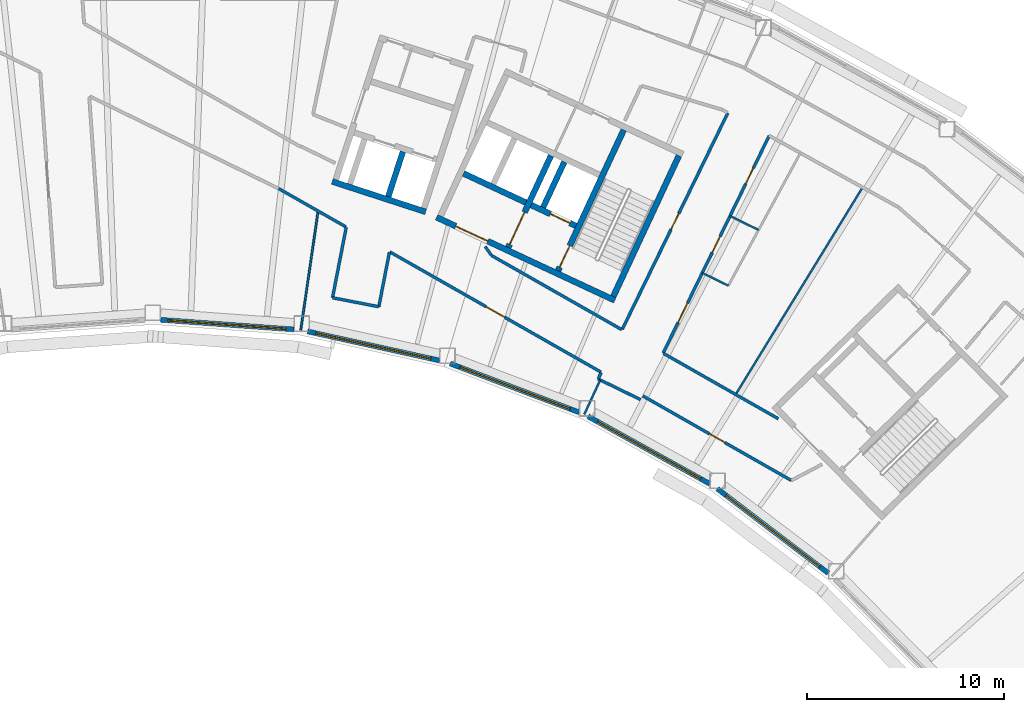
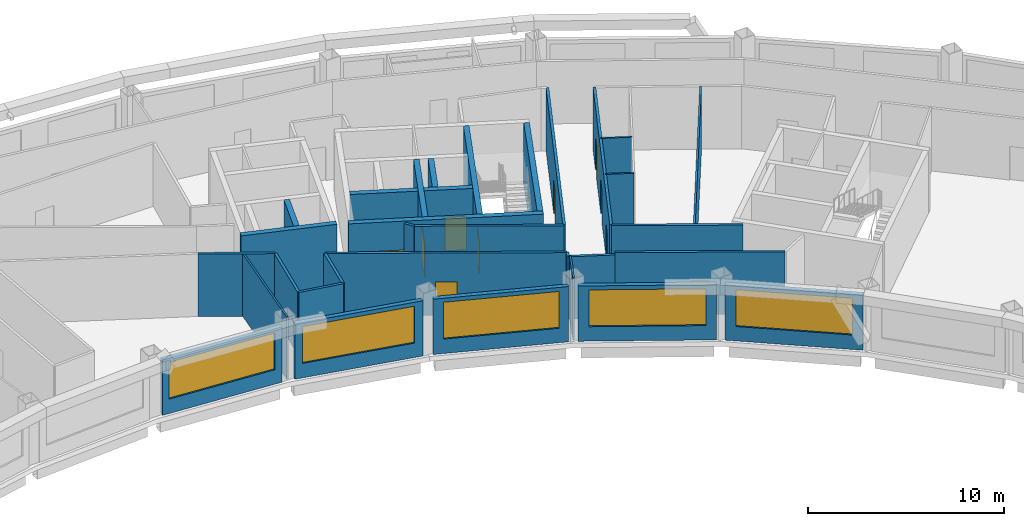
# One storey, part 8 of 16: 32 walls, 10 doors, 5 windows, 15 openings.
"""IFC4 building model written with IfcOpenShell, lengths in metres."""

from ifc_helpers import new_model, si_unit, direction, frame, frame_2d, origin, place, context, subcontext, project, spatial, rectangle, extrude, material, layer, layer_set, type_object, element, fill, save


model = new_model("IFC4")

# Units and contexts
model_context = context("Model", 3, precision=1e-05, world=origin(), true_north=direction((0.0, 1.0)))
body_context = subcontext(model_context, "Body", "Model", "MODEL_VIEW")
ifc_project = project(units=[si_unit("LENGTHUNIT", "METRE"), si_unit("AREAUNIT", "SQUARE_METRE"), si_unit("VOLUMEUNIT", "CUBIC_METRE"), si_unit("PLANEANGLEUNIT", "RADIAN"), si_unit("MASSUNIT", "GRAM", prefix="KILO")], contexts=[model_context])

# Site, building, storey
site_placement = place(None, origin())
site = spatial("IfcSite", under=ifc_project, at=site_placement, CompositionType="ELEMENT")
building_placement = place(site_placement, origin())
building = spatial("IfcBuilding", under=site, at=building_placement, Name="Tuul Gate Civic Tower", CompositionType="ELEMENT")
storey_placement = place(building_placement, frame((0.0, 0.0, 261.0)))
storey = spatial("IfcBuildingStorey", under=building, at=storey_placement, Name="Level 59", CompositionType="ELEMENT", Elevation=261.0)

# Wall, opening, door
ifc_material_1 = material(Name="Concrete C50/60", Category="concrete")
ifc_layer_1 = layer(ifc_material_1, 0.300048828125)
ifc_layer_set_1 = layer_set([ifc_layer_1], Name="Concrete C50/60")
wall_type_1 = type_object("IfcWallType", Name="Core wall C50/60", PredefinedType="SHEAR", material=ifc_layer_set_1)
wall_1_placement = place(storey_placement, frame((34.5283203125, -7.25, 0.0), z_axis=(0.0, 0.0, 1.0), x_axis=(-0.906310338845, 0.422612789327, 0.0)))
wall_1 = element("IfcWall", 1, at=wall_1_placement, inside=storey, type_object=wall_type_1, Name="Core wall", PredefinedType="SHEAR", context=body_context, shape_type="SweptSolid", body=[
    extrude(rectangle(XDim=9.999755859375, YDim=0.300048828125, at=frame_2d((5.0, 0.0))), origin(), (0.0, 0.0, 1.0), 3.89990234375),
])
opening_1_placement = place(wall_1_placement, frame((7.125, 0.0, 0.0)))
opening_1 = element("IfcOpeningElement", 2, at=opening_1_placement, cuts=wall_1, Name="Opening LB-E3-LOBBY-1", PredefinedType="OPENING", context=body_context, shape_type="SweptSolid", body=[
    extrude(rectangle(XDim=1.800048828125, YDim=2.10009765625, at=frame_2d((0.89990234375, 1.050048828125))), frame((0.0, 0.16015625, 0.0), z_axis=(0.0, -1.0, 0.0), x_axis=(1.0, 0.0, 0.0)), (0.0, 0.0, 1.0), 0.320068359375),
])
ifc_material_2 = material(Name="Steel", Category="steel")
door_type_1 = type_object("IfcDoorType", Name="Lobby door", OperationType="DOUBLE_DOOR_SINGLE_SWING", PredefinedType="DOOR", material=ifc_material_2)
door_1_placement = place(opening_1_placement, origin())
door_1 = element("IfcDoor", 3, at=door_1_placement, inside=storey, type_object=door_type_1, Name="Lobby door E3-LOBBY", OperationType="DOUBLE_DOOR_SINGLE_SWING", OverallHeight=2.10009765625, OverallWidth=1.800048828125, PredefinedType="DOOR", context=body_context, shape_type="SweptSolid", body=[
    extrude(rectangle(XDim=1.800048828125, YDim=2.10009765625, at=frame_2d((0.89990234375, 1.050048828125))), frame((0.0, 0.02490234375, 0.0), z_axis=(0.0, -1.0, 0.0), x_axis=(1.0, 0.0, 0.0)), (0.0, 0.0, 1.0), 0.050048828125),
])
fill(opening_1, door_1)

wall_2_placement = place(storey_placement, frame((32.545654296875, -3.456787109375, 0.0), z_axis=(0.0, 0.0, 1.0), x_axis=(-0.906300357825, 0.42263419337, 0.0)))
wall_2 = element("IfcWall", 4, at=wall_2_placement, inside=storey, type_object=wall_type_1, Name="Core wall", PredefinedType="SHEAR", context=body_context, shape_type="SweptSolid", body=[
    extrude(rectangle(XDim=2.500244140625, YDim=0.300048828125, at=frame_2d((1.25, 0.0))), origin(), (0.0, 0.0, 1.0), 3.89990234375),
])
opening_2_placement = place(wall_2_placement, frame((0.324951171875, 0.0, 0.0)))
opening_2 = element("IfcOpeningElement", 5, at=opening_2_placement, cuts=wall_2, Name="Opening LD-FF-2", PredefinedType="OPENING", context=body_context, shape_type="SweptSolid", body=[
    extrude(rectangle(XDim=1.10009765625, YDim=2.10009765625, at=frame_2d((0.550048828125, 1.050048828125))), frame((0.0, 0.16015625, 0.0), z_axis=(0.0, -1.0, 0.0), x_axis=(1.0, 0.0, 0.0)), (0.0, 0.0, 1.0), 0.320068359375),
])
ifc_material_3 = material(Name="Stainless steel", Category="steel")
door_type_2 = type_object("IfcDoorType", Name="Landing door", OperationType="DOUBLE_DOOR_SLIDING", PredefinedType="DOOR", material=ifc_material_3)
door_2_placement = place(opening_2_placement, origin())
door_2 = element("IfcDoor", 6, at=door_2_placement, inside=storey, type_object=door_type_2, Name="Fire-fighting lift FF-2 landing door", OperationType="DOUBLE_DOOR_SLIDING", OverallHeight=2.10009765625, OverallWidth=1.10009765625, PredefinedType="DOOR", context=body_context, shape_type="SweptSolid", body=[
    extrude(rectangle(XDim=1.10009765625, YDim=2.10009765625, at=frame_2d((0.550048828125, 1.050048828125))), frame((0.0, 0.02490234375, 0.0), z_axis=(0.0, -1.0, 0.0), x_axis=(1.0, 0.0, 0.0)), (0.0, 0.0, 1.0), 0.050048828125),
])
fill(opening_2, door_2)

# Walls
wall_3_placement = place(storey_placement, frame((30.0078125, -2.2734375, 0.0), z_axis=(0.0, 0.0, 1.0), x_axis=(-0.90630071767, 0.422633421716, 0.0)))
element("IfcWall", 7, at=wall_3_placement, inside=storey, type_object=wall_type_1, Name="Core wall", PredefinedType="SHEAR", context=body_context, shape_type="SweptSolid", body=[
    extrude(rectangle(XDim=3.5, YDim=0.300048828125, at=frame_2d((1.75, 0.0))), origin(), (0.0, 0.0, 1.0), 3.89990234375),
])
wall_4_placement = place(storey_placement, frame((34.455810546875, -7.05078125, 0.0), z_axis=(0.0, 0.0, 1.0), x_axis=(0.422570768258, 0.906329932096, 0.0)))
element("IfcWall", 8, at=wall_4_placement, inside=storey, type_object=wall_type_1, Name="Core wall", PredefinedType="SHEAR", context=body_context, shape_type="SweptSolid", body=[
    extrude(rectangle(XDim=7.900146484375, YDim=0.300048828125, at=frame_2d((3.9501953125, 0.0))), origin(), (0.0, 0.0, 1.0), 3.89990234375),
])

# Wall, opening, door
wall_5_placement = place(storey_placement, frame((31.646240234375, -5.740478515625, 0.0), z_axis=(0.0, 0.0, 1.0), x_axis=(0.422582604137, 0.906324413596, 0.0)))
wall_5 = element("IfcWall", 9, at=wall_5_placement, inside=storey, type_object=wall_type_1, Name="Core wall", PredefinedType="SHEAR", context=body_context, shape_type="SweptSolid", body=[
    extrude(rectangle(XDim=7.89990234375, YDim=0.300048828125, at=frame_2d((3.949951171875, 0.0))), origin(), (0.0, 0.0, 1.0), 3.89990234375),
])
opening_3_placement = place(wall_5_placement, frame((0.199951171875, 0.0, 0.0)))
opening_3 = element("IfcOpeningElement", 10, at=opening_3_placement, cuts=wall_5, Name="Opening SD-ST-4", PredefinedType="OPENING", context=body_context, shape_type="SweptSolid", body=[
    extrude(rectangle(XDim=1.199951171875, YDim=2.10009765625, at=frame_2d((0.60009765625, 1.050048828125))), frame((0.0, 0.16015625, 0.0), z_axis=(0.0, -1.0, 0.0), x_axis=(1.0, 0.0, 0.0)), (0.0, 0.0, 1.0), 0.320068359375),
])
ifc_material_4 = material(Name="Steel", Category="steel")
door_type_3 = type_object("IfcDoorType", Name="Stair door", OperationType="NOTDEFINED", PredefinedType="DOOR", material=ifc_material_4)
door_3_placement = place(opening_3_placement, origin())
door_3 = element("IfcDoor", 11, at=door_3_placement, inside=storey, type_object=door_type_3, Name="Stair door ST-4", OperationType="SINGLE_SWING_LEFT", OverallHeight=2.10009765625, OverallWidth=1.199951171875, PredefinedType="DOOR", context=body_context, shape_type="SweptSolid", body=[
    extrude(rectangle(XDim=1.199951171875, YDim=2.10009765625, at=frame_2d((0.60009765625, 1.050048828125))), frame((0.0, 0.02490234375, 0.0), z_axis=(0.0, -1.0, 0.0), x_axis=(1.0, 0.0, 0.0)), (0.0, 0.0, 1.0), 0.050048828125),
])
fill(opening_3, door_3)

# Wall
wall_6_placement = place(storey_placement, frame((30.886962890625, -2.517822265625, 0.0), z_axis=(0.0, 0.0, 1.0), x_axis=(0.422612891016, 0.906310291427, 0.0)))
element("IfcWall", 12, at=wall_6_placement, inside=storey, type_object=wall_type_1, Name="Core wall", PredefinedType="SHEAR", context=body_context, shape_type="SweptSolid", body=[
    extrude(rectangle(XDim=2.550048828125, YDim=0.300048828125, at=frame_2d((1.27490234375, 0.0))), origin(), (0.0, 0.0, 1.0), 3.89990234375),
])

# Wall, opening, door
wall_7_placement = place(storey_placement, frame((29.108642578125, -4.557373046875, 0.0), z_axis=(0.0, 0.0, 1.0), x_axis=(0.422566235356, 0.90633204552, 0.0)))
wall_7 = element("IfcWall", 13, at=wall_7_placement, inside=storey, type_object=wall_type_1, Name="Core wall", PredefinedType="SHEAR", context=body_context, shape_type="SweptSolid", body=[
    extrude(rectangle(XDim=5.150146484375, YDim=0.300048828125, at=frame_2d((2.5751953125, 0.0))), origin(), (0.0, 0.0, 1.0), 3.89990234375),
])
opening_4_placement = place(wall_7_placement, frame((0.175048828125, 0.0, 0.0)))
opening_4 = element("IfcOpeningElement", 14, at=opening_4_placement, cuts=wall_7, Name="Opening LB-E3-FLOBBY-1", PredefinedType="OPENING", context=body_context, shape_type="SweptSolid", body=[
    extrude(rectangle(XDim=1.800048828125, YDim=2.10009765625, at=frame_2d((0.89990234375, 1.050048828125))), frame((0.0, 0.16015625, 0.0), z_axis=(0.0, -1.0, 0.0), x_axis=(1.0, 0.0, 0.0)), (0.0, 0.0, 1.0), 0.320068359375),
])
door_4_placement = place(opening_4_placement, frame((1.800048828125, 0.0, 0.0), z_axis=(0.0, 0.0, 1.0), x_axis=(-1.0, 0.0, 0.0)))
door_4 = element("IfcDoor", 15, at=door_4_placement, inside=storey, type_object=door_type_1, Name="Lobby door E3-FLOBBY", OperationType="DOUBLE_DOOR_SINGLE_SWING", OverallHeight=2.10009765625, OverallWidth=1.800048828125, PredefinedType="DOOR", context=body_context, shape_type="SweptSolid", body=[
    extrude(rectangle(XDim=1.800048828125, YDim=2.10009765625, at=frame_2d((0.900146484375, 1.050048828125))), frame((0.0, 0.02490234375, 0.0), z_axis=(0.0, -1.0, 0.0), x_axis=(1.0, 0.0, 0.0)), (0.0, 0.0, 1.0), 0.050048828125),
])
fill(opening_4, door_4)

# Walls
ifc_material_5 = material(Name="Gypsum board partition")
ifc_layer_2 = layer(ifc_material_5, 0.14990234375)
ifc_layer_set_2 = layer_set([ifc_layer_2], Name="Gypsum board partition")
wall_type_2 = type_object("IfcWallType", Name="Corridor wall P150", PredefinedType="PARTITIONING", material=ifc_layer_set_2)
wall_8_placement = place(storey_placement, frame((28.256591796875, -4.965576171875, 0.0), z_axis=(0.0, 0.0, 1.0), x_axis=(0.869032320877, -0.494755318589, 0.0)))
element("IfcWall", 16, at=wall_8_placement, inside=storey, type_object=wall_type_2, Name="p023", PredefinedType="PARTITIONING", context=body_context, shape_type="SweptSolid", body=[
    extrude(rectangle(XDim=7.62353515625, YDim=0.14990234375, at=frame_2d((3.811767578125, 0.0))), origin(), (0.0, 0.0, 1.0), 3.89990234375),
])
wall_9_placement = place(storey_placement, frame((37.004638671875, -9.94580078125, 0.0), z_axis=(0.0, 0.0, 1.0), x_axis=(0.869046007404, -0.49473127758, 0.0)))
element("IfcWall", 17, at=wall_9_placement, inside=storey, type_object=wall_type_2, Name="p024", PredefinedType="PARTITIONING", context=body_context, shape_type="SweptSolid", body=[
    extrude(rectangle(XDim=6.72705078125, YDim=0.14990234375, at=frame_2d((3.363525390625, 0.0))), origin(), (0.0, 0.0, 1.0), 3.89990234375),
])
wall_10_placement = place(storey_placement, frame((33.681640625, -11.247314453125, 0.0), z_axis=(0.0, 0.0, 1.0), x_axis=(0.898820277284, -0.438317361216, 0.0)))
element("IfcWall", 18, at=wall_10_placement, inside=storey, type_object=wall_type_2, Name="p052", PredefinedType="PARTITIONING", context=body_context, shape_type="SweptSolid", body=[
    extrude(rectangle(XDim=2.39892578125, YDim=0.14990234375, at=frame_2d((1.199462890625, 0.0))), origin(), (0.0, 0.0, 1.0), 3.89990234375),
])

# Wall, openings, doors
wall_11_placement = place(storey_placement, frame((36.998291015625, -9.920654296875, 0.0), z_axis=(0.0, 0.0, 1.0), x_axis=(0.438372757264, 0.898793260816, 0.0)))
wall_11 = element("IfcWall", 19, at=wall_11_placement, inside=storey, type_object=wall_type_2, Name="p053", PredefinedType="PARTITIONING", context=body_context, shape_type="SweptSolid", body=[
    extrude(rectangle(XDim=12.291259765625, YDim=0.14990234375, at=frame_2d((6.1455078125, 0.0))), origin(), (0.0, 0.0, 1.0), 3.89990234375),
])
opening_5_placement = place(wall_11_placement, frame((1.712158203125, 0.0, 0.0)))
opening_5 = element("IfcOpeningElement", 20, at=opening_5_placement, cuts=wall_11, Name="Opening V-D18", PredefinedType="OPENING", context=body_context, shape_type="SweptSolid", body=[
    extrude(rectangle(XDim=1.10009765625, YDim=2.10009765625, at=frame_2d((0.550048828125, 1.050048828125))), frame((0.0, 0.0849609375, 0.0), z_axis=(0.0, -1.0, 0.0), x_axis=(1.0, 0.0, 0.0)), (0.0, 0.0, 1.0), 0.169921875),
])
opening_6_placement = place(wall_11_placement, frame((5.68505859375, 0.0, 0.0)))
opening_6 = element("IfcOpeningElement", 21, at=opening_6_placement, cuts=wall_11, Name="Opening V-D19", PredefinedType="OPENING", context=body_context, shape_type="SweptSolid", body=[
    extrude(rectangle(XDim=0.89990234375, YDim=2.10009765625, at=frame_2d((0.449951171875, 1.050048828125))), frame((0.0, 0.0849609375, 0.0), z_axis=(0.0, -1.0, 0.0), x_axis=(1.0, 0.0, 0.0)), (0.0, 0.0, 1.0), 0.169921875),
])
opening_7_placement = place(wall_11_placement, frame((9.5537109375, 0.0, 0.0)))
opening_7 = element("IfcOpeningElement", 22, at=opening_7_placement, cuts=wall_11, Name="Opening V-D25", PredefinedType="OPENING", context=body_context, shape_type="SweptSolid", body=[
    extrude(rectangle(XDim=0.89990234375, YDim=2.10009765625, at=frame_2d((0.449951171875, 1.050048828125))), frame((0.0, 0.0849609375, 0.0), z_axis=(0.0, -1.0, 0.0), x_axis=(1.0, 0.0, 0.0)), (0.0, 0.0, 1.0), 0.169921875),
])
ifc_material_6 = material(Name="Timber door leaf", Category="wood")
door_type_4 = type_object("IfcDoorType", Name="Door D09", OperationType="NOTDEFINED", PredefinedType="DOOR", material=ifc_material_6)
door_5_placement = place(opening_6_placement, frame((0.89990234375, 0.0, 0.0), z_axis=(0.0, 0.0, 1.0), x_axis=(-1.0, 0.0, 0.0)))
door_5 = element("IfcDoor", 23, at=door_5_placement, inside=storey, type_object=door_type_4, Name="Door V-D19", OperationType="SINGLE_SWING_LEFT", OverallHeight=2.10009765625, OverallWidth=0.89990234375, PredefinedType="DOOR", context=body_context, shape_type="SweptSolid", body=[
    extrude(rectangle(XDim=0.89990234375, YDim=2.10009765625, at=frame_2d((0.449951171875, 1.050048828125))), frame((0.0, 0.02490234375, 0.0), z_axis=(0.0, -1.0, 0.0), x_axis=(1.0, 0.0, 0.0)), (0.0, 0.0, 1.0), 0.050048828125),
])
fill(opening_6, door_5)
door_6_placement = place(opening_7_placement, frame((0.89990234375, 0.0, 0.0), z_axis=(0.0, 0.0, 1.0), x_axis=(-1.0, 0.0, 0.0)))
door_6 = element("IfcDoor", 24, at=door_6_placement, inside=storey, type_object=door_type_4, Name="Door V-D25", OperationType="SINGLE_SWING_LEFT", OverallHeight=2.10009765625, OverallWidth=0.89990234375, PredefinedType="DOOR", context=body_context, shape_type="SweptSolid", body=[
    extrude(rectangle(XDim=0.89990234375, YDim=2.10009765625, at=frame_2d((0.449951171875, 1.050048828125))), frame((0.0, 0.02490234375, 0.0), z_axis=(0.0, -1.0, 0.0), x_axis=(1.0, 0.0, 0.0)), (0.0, 0.0, 1.0), 0.050048828125),
])
fill(opening_7, door_6)
ifc_material_7 = material(Name="Timber door leaf", Category="wood")
door_type_5 = type_object("IfcDoorType", Name="Door D11", OperationType="NOTDEFINED", PredefinedType="DOOR", material=ifc_material_7)
door_7_placement = place(opening_5_placement, frame((1.10009765625, 0.0, 0.0), z_axis=(0.0, 0.0, 1.0), x_axis=(-1.0, 0.0, 0.0)))
door_7 = element("IfcDoor", 25, at=door_7_placement, inside=storey, type_object=door_type_5, Name="Door V-D18", OperationType="SINGLE_SWING_LEFT", OverallHeight=2.10009765625, OverallWidth=1.10009765625, PredefinedType="DOOR", context=body_context, shape_type="SweptSolid", body=[
    extrude(rectangle(XDim=1.10009765625, YDim=2.10009765625, at=frame_2d((0.550048828125, 1.050048828125))), frame((0.0, 0.02490234375, 0.0), z_axis=(0.0, -1.0, 0.0), x_axis=(1.0, 0.0, 0.0)), (0.0, 0.0, 1.0), 0.050048828125),
])
fill(opening_5, door_7)

# Wall
wall_12_placement = place(storey_placement, frame((17.43310546875, -1.565673828125, 0.0), z_axis=(0.0, 0.0, 1.0), x_axis=(0.869046695057, -0.494730069645, 0.0)))
element("IfcWall", 26, at=wall_12_placement, inside=storey, type_object=wall_type_2, Name="p054", PredefinedType="PARTITIONING", context=body_context, shape_type="SweptSolid", body=[
    extrude(rectangle(XDim=3.939453125, YDim=0.14990234375, at=frame_2d((1.9697265625, 0.0))), origin(), (0.0, 0.0, 1.0), 3.89990234375),
])

# Wall, opening, door
wall_13_placement = place(storey_placement, frame((23.0947265625, -4.788818359375, 0.0), z_axis=(0.0, 0.0, 1.0), x_axis=(0.869048389976, -0.494727092324, 0.0)))
wall_13 = element("IfcWall", 27, at=wall_13_placement, inside=storey, type_object=wall_type_2, Name="p055", PredefinedType="PARTITIONING", context=body_context, shape_type="SweptSolid", body=[
    extrude(rectangle(XDim=12.3525390625, YDim=0.14990234375, at=frame_2d((6.17626953125, 0.0))), origin(), (0.0, 0.0, 1.0), 3.89990234375),
])
opening_8_placement = place(wall_13_placement, frame((5.626220703125, 0.0, 0.0)))
opening_8 = element("IfcOpeningElement", 28, at=opening_8_placement, cuts=wall_13, Name="Opening V-D11", PredefinedType="OPENING", context=body_context, shape_type="SweptSolid", body=[
    extrude(rectangle(XDim=1.10009765625, YDim=2.10009765625, at=frame_2d((0.550048828125, 1.050048828125))), frame((0.0, 0.0849609375, 0.0), z_axis=(0.0, -1.0, 0.0), x_axis=(1.0, 0.0, 0.0)), (0.0, 0.0, 1.0), 0.169921875),
])
door_8_placement = place(opening_8_placement, frame((1.10009765625, 0.0, 0.0), z_axis=(0.0, 0.0, 1.0), x_axis=(-1.0, 0.0, 0.0)))
door_8 = element("IfcDoor", 29, at=door_8_placement, inside=storey, type_object=door_type_5, Name="Door V-D11", OperationType="SINGLE_SWING_LEFT", OverallHeight=2.10009765625, OverallWidth=1.10009765625, PredefinedType="DOOR", context=body_context, shape_type="SweptSolid", body=[
    extrude(rectangle(XDim=1.10009765625, YDim=2.10009765625, at=frame_2d((0.550048828125, 1.050048828125))), frame((0.0, 0.02490234375, 0.0), z_axis=(0.0, -1.0, 0.0), x_axis=(1.0, 0.0, 0.0)), (0.0, 0.0, 1.0), 0.050048828125),
])
fill(opening_8, door_8)

wall_14_placement = place(storey_placement, frame((35.954345703125, -12.109619140625, 0.0), z_axis=(0.0, 0.0, 1.0), x_axis=(0.869048580434, -0.494726757761, 0.0)))
wall_14 = element("IfcWall", 30, at=wall_14_placement, inside=storey, type_object=wall_type_2, Name="p056", PredefinedType="PARTITIONING", context=body_context, shape_type="SweptSolid", body=[
    extrude(rectangle(XDim=8.69873046875, YDim=0.14990234375, at=frame_2d((4.349365234375, 0.0))), origin(), (0.0, 0.0, 1.0), 3.89990234375),
])
opening_9_placement = place(wall_14_placement, frame((3.8994140625, 0.0, 0.0)))
opening_9 = element("IfcOpeningElement", 31, at=opening_9_placement, cuts=wall_14, Name="Opening V-D10", PredefinedType="OPENING", context=body_context, shape_type="SweptSolid", body=[
    extrude(rectangle(XDim=0.89990234375, YDim=2.10009765625, at=frame_2d((0.449951171875, 1.050048828125))), frame((0.0, 0.0849609375, 0.0), z_axis=(0.0, -1.0, 0.0), x_axis=(1.0, 0.0, 0.0)), (0.0, 0.0, 1.0), 0.169921875),
])
door_9_placement = place(opening_9_placement, frame((0.89990234375, 0.0, 0.0), z_axis=(0.0, 0.0, 1.0), x_axis=(-1.0, 0.0, 0.0)))
door_9 = element("IfcDoor", 32, at=door_9_placement, inside=storey, type_object=door_type_4, Name="Door V-D10", OperationType="SINGLE_SWING_LEFT", OverallHeight=2.10009765625, OverallWidth=0.89990234375, PredefinedType="DOOR", context=body_context, shape_type="SweptSolid", body=[
    extrude(rectangle(XDim=0.89990234375, YDim=2.10009765625, at=frame_2d((0.449951171875, 1.050048828125))), frame((0.0, 0.02490234375, 0.0), z_axis=(0.0, -1.0, 0.0), x_axis=(1.0, 0.0, 0.0)), (0.0, 0.0, 1.0), 0.050048828125),
])
fill(opening_9, door_9)

# Walls
wall_15_placement = place(storey_placement, frame((20.17041015625, -7.1162109375, 0.0), z_axis=(0.0, 0.0, 1.0), x_axis=(0.190835618479, 0.981622008066, 0.0)))
element("IfcWall", 33, at=wall_15_placement, inside=storey, type_object=wall_type_2, Name="p058", PredefinedType="PARTITIONING", context=body_context, shape_type="SweptSolid", body=[
    extrude(rectangle(XDim=3.6474609375, YDim=0.14990234375, at=frame_2d((1.82373046875, 0.0))), origin(), (0.0, 0.0, 1.0), 3.89990234375),
])
wall_16_placement = place(storey_placement, frame((20.1708984375, -7.11669921875, 0.0), z_axis=(0.0, 0.0, 1.0), x_axis=(0.981627039765, -0.190809734559, 0.0)))
element("IfcWall", 34, at=wall_16_placement, inside=storey, type_object=wall_type_2, Name="p059", PredefinedType="PARTITIONING", context=body_context, shape_type="SweptSolid", body=[
    extrude(rectangle(XDim=2.399169921875, YDim=0.14990234375, at=frame_2d((1.19970703125, 0.0))), origin(), (0.0, 0.0, 1.0), 3.89990234375),
])
wall_17_placement = place(storey_placement, frame((22.5263671875, -7.57421875, 0.0), z_axis=(0.0, 0.0, 1.0), x_axis=(0.190809492734, 0.981627086771, 0.0)))
element("IfcWall", 35, at=wall_17_placement, inside=storey, type_object=wall_type_2, Name="p060", PredefinedType="PARTITIONING", context=body_context, shape_type="SweptSolid", body=[
    extrude(rectangle(XDim=2.823974609375, YDim=0.14990234375, at=frame_2d((1.412109375, 0.0))), origin(), (0.0, 0.0, 1.0), 3.89990234375),
])
wall_18_placement = place(storey_placement, frame((33.681396484375, -11.24658203125, 0.0), z_axis=(0.0, 0.0, 1.0), x_axis=(0.438153845519, 0.898899998697, 0.0)))
element("IfcWall", 36, at=wall_18_placement, inside=storey, type_object=wall_type_2, Name="p061", PredefinedType="PARTITIONING", context=body_context, shape_type="SweptSolid", body=[
    extrude(rectangle(XDim=0.356689453125, YDim=0.14990234375, at=frame_2d((0.17822265625, 0.0))), origin(), (0.0, 0.0, 1.0), 3.89990234375),
])

# Wall, opening, door
wall_19_placement = place(storey_placement, frame((34.909423828125, -8.728515625, 0.0), z_axis=(0.0, 0.0, 1.0), x_axis=(0.43837608299, 0.898791638736, 0.0)))
wall_19 = element("IfcWall", 37, at=wall_19_placement, inside=storey, type_object=wall_type_2, Name="p062", PredefinedType="PARTITIONING", context=body_context, shape_type="SweptSolid", body=[
    extrude(rectangle(XDim=12.240478515625, YDim=0.14990234375, at=frame_2d((6.1201171875, 0.0))), origin(), (0.0, 0.0, 1.0), 3.89990234375),
])
opening_10_placement = place(wall_19_placement, frame((5.67041015625, 0.0, 0.0)))
opening_10 = element("IfcOpeningElement", 38, at=opening_10_placement, cuts=wall_19, Name="Opening V-D20", PredefinedType="OPENING", context=body_context, shape_type="SweptSolid", body=[
    extrude(rectangle(XDim=0.89990234375, YDim=2.10009765625, at=frame_2d((0.449951171875, 1.050048828125))), frame((0.0, 0.0849609375, 0.0), z_axis=(0.0, -1.0, 0.0), x_axis=(1.0, 0.0, 0.0)), (0.0, 0.0, 1.0), 0.169921875),
])
door_10_placement = place(opening_10_placement, origin())
door_10 = element("IfcDoor", 39, at=door_10_placement, inside=storey, type_object=door_type_4, Name="Door V-D20", OperationType="SINGLE_SWING_RIGHT", OverallHeight=2.10009765625, OverallWidth=0.89990234375, PredefinedType="DOOR", context=body_context, shape_type="SweptSolid", body=[
    extrude(rectangle(XDim=0.89990234375, YDim=2.10009765625, at=frame_2d((0.449951171875, 1.050048828125))), frame((0.0, 0.02490234375, 0.0), z_axis=(0.0, -1.0, 0.0), x_axis=(1.0, 0.0, 0.0)), (0.0, 0.0, 1.0), 0.050048828125),
])
fill(opening_10, door_10)

# Wall
wall_20_placement = place(storey_placement, frame((27.939453125, -4.509033203125, 0.0), z_axis=(0.0, 0.0, 1.0), x_axis=(0.567399346164, -0.823442761807, 0.0)))
element("IfcWall", 40, at=wall_20_placement, inside=storey, type_object=wall_type_2, Name="p094", PredefinedType="PARTITIONING", context=body_context, shape_type="SweptSolid", body=[
    extrude(rectangle(XDim=0.54736328125, YDim=0.14990234375, at=frame_2d((0.273681640625, 0.0))), origin(), (0.0, 0.0, 1.0), 3.89990234375),
])

# Wall, opening, window
ifc_material_8 = material(Name="Precast concrete C40/50", Category="concrete")
ifc_layer_3 = layer(ifc_material_8, 0.25)
ifc_layer_set_3 = layer_set([ifc_layer_3], Name="Precast concrete C40/50")
wall_type_3 = type_object("IfcWallType", Name="External wall", PredefinedType="STANDARD", material=ifc_layer_set_3)
wall_21_placement = place(storey_placement, frame((11.430908203125, -8.236572265625, 0.0), z_axis=(0.0, 0.0, 1.0), x_axis=(0.997384795983, -0.072274260578, 0.0)))
wall_21 = element("IfcWall", 41, at=wall_21_placement, inside=storey, type_object=wall_type_3, Name="External wall", PredefinedType="STANDARD", context=body_context, shape_type="SweptSolid", body=[
    extrude(rectangle(XDim=6.789794921875, YDim=0.25, at=frame_2d((3.39501953125, 0.0))), origin(), (0.0, 0.0, 1.0), 3.449951171875),
])
opening_11_placement = place(wall_21_placement, frame((0.371337890625, 0.0, 0.89990234375)))
opening_11 = element("IfcOpeningElement", 42, at=opening_11_placement, cuts=wall_21, Name="Opening W26", PredefinedType="OPENING", context=body_context, shape_type="SweptSolid", body=[
    extrude(rectangle(XDim=6.0, YDim=2.300048828125, at=frame_2d((3.0, 1.14990234375))), frame((0.0, 0.135009765625, 0.0), z_axis=(0.0, -1.0, 0.0), x_axis=(1.0, 0.0, 0.0)), (0.0, 0.0, 1.0), 0.27001953125),
])
ifc_material_9 = material(Name="Glass", Category="glass")
window_type = type_object("IfcWindowType", Name="Window W26 6000 x 2300", PartitioningType="SINGLE_PANEL", PredefinedType="WINDOW", material=ifc_material_9)
window_1_placement = place(opening_11_placement, origin())
window_1 = element("IfcWindow", 43, at=window_1_placement, inside=storey, type_object=window_type, Name="Window", OverallHeight=2.300048828125, OverallWidth=6.0, PartitioningType="SINGLE_PANEL", PredefinedType="WINDOW", context=body_context, shape_type="SweptSolid", body=[
    extrude(rectangle(XDim=6.0, YDim=2.300048828125, at=frame_2d((3.0, 1.14990234375))), frame((0.0, 0.030029296875, 0.0), z_axis=(0.0, -1.0, 0.0), x_axis=(1.0, 0.0, 0.0)), (0.0, 0.0, 1.0), 0.06005859375),
])
fill(opening_11, window_1)

wall_22_placement = place(storey_placement, frame((18.90576171875, -8.830078125, 0.0), z_axis=(0.0, 0.0, 1.0), x_axis=(0.976589118116, -0.215113212929, 0.0)))
wall_22 = element("IfcWall", 44, at=wall_22_placement, inside=storey, type_object=wall_type_3, Name="External wall", PredefinedType="STANDARD", context=body_context, shape_type="SweptSolid", body=[
    extrude(rectangle(XDim=6.8720703125, YDim=0.25, at=frame_2d((3.43603515625, 0.0))), origin(), (0.0, 0.0, 1.0), 3.449951171875),
])
opening_12_placement = place(wall_22_placement, frame((0.4140625, 0.0, 0.89990234375)))
opening_12 = element("IfcOpeningElement", 45, at=opening_12_placement, cuts=wall_22, Name="Opening W26", PredefinedType="OPENING", context=body_context, shape_type="SweptSolid", body=[
    extrude(rectangle(XDim=6.0, YDim=2.300048828125, at=frame_2d((3.0, 1.14990234375))), frame((0.0, 0.135009765625, 0.0), z_axis=(0.0, -1.0, 0.0), x_axis=(1.0, 0.0, 0.0)), (0.0, 0.0, 1.0), 0.27001953125),
])
window_2_placement = place(opening_12_placement, origin())
window_2 = element("IfcWindow", 46, at=window_2_placement, inside=storey, type_object=window_type, Name="Window", OverallHeight=2.300048828125, OverallWidth=6.0, PartitioningType="SINGLE_PANEL", PredefinedType="WINDOW", context=body_context, shape_type="SweptSolid", body=[
    extrude(rectangle(XDim=6.0, YDim=2.300048828125, at=frame_2d((3.0, 1.14990234375))), frame((0.0, 0.030029296875, 0.0), z_axis=(0.0, -1.0, 0.0), x_axis=(1.0, 0.0, 0.0)), (0.0, 0.0, 1.0), 0.06005859375),
])
fill(opening_12, window_2)

wall_23_placement = place(storey_placement, frame((26.15673828125, -10.464111328125, 0.0), z_axis=(0.0, 0.0, 1.0), x_axis=(0.935331393711, -0.353772785752, 0.0)))
wall_23 = element("IfcWall", 47, at=wall_23_placement, inside=storey, type_object=wall_type_3, Name="External wall", PredefinedType="STANDARD", context=body_context, shape_type="SweptSolid", body=[
    extrude(rectangle(XDim=7.014892578125, YDim=0.25, at=frame_2d((3.50732421875, 0.0))), origin(), (0.0, 0.0, 1.0), 3.449951171875),
])
opening_13_placement = place(wall_23_placement, frame((0.5234375, 0.0, 0.89990234375)))
opening_13 = element("IfcOpeningElement", 48, at=opening_13_placement, cuts=wall_23, Name="Opening W26", PredefinedType="OPENING", context=body_context, shape_type="SweptSolid", body=[
    extrude(rectangle(XDim=6.0, YDim=2.300048828125, at=frame_2d((3.0, 1.14990234375))), frame((0.0, 0.135009765625, 0.0), z_axis=(0.0, -1.0, 0.0), x_axis=(1.0, 0.0, 0.0)), (0.0, 0.0, 1.0), 0.27001953125),
])
window_3_placement = place(opening_13_placement, origin())
window_3 = element("IfcWindow", 49, at=window_3_placement, inside=storey, type_object=window_type, Name="Window", OverallHeight=2.300048828125, OverallWidth=6.0, PartitioningType="SINGLE_PANEL", PredefinedType="WINDOW", context=body_context, shape_type="SweptSolid", body=[
    extrude(rectangle(XDim=6.0, YDim=2.300048828125, at=frame_2d((3.0, 1.14990234375))), frame((0.0, 0.030029296875, 0.0), z_axis=(0.0, -1.0, 0.0), x_axis=(1.0, 0.0, 0.0)), (0.0, 0.0, 1.0), 0.06005859375),
])
fill(opening_13, window_3)

wall_24_placement = place(storey_placement, frame((33.167724609375, -13.14892578125, 0.0), z_axis=(0.0, 0.0, 1.0), x_axis=(0.874609302381, -0.484828390452, 0.0)))
wall_24 = element("IfcWall", 50, at=wall_24_placement, inside=storey, type_object=wall_type_3, Name="External wall", PredefinedType="STANDARD", context=body_context, shape_type="SweptSolid", body=[
    extrude(rectangle(XDim=7.07666015625, YDim=0.25, at=frame_2d((3.538330078125, 0.0))), origin(), (0.0, 0.0, 1.0), 3.449951171875),
])
opening_14_placement = place(wall_24_placement, frame((0.558349609375, 0.0, 0.89990234375)))
opening_14 = element("IfcOpeningElement", 51, at=opening_14_placement, cuts=wall_24, Name="Opening W26", PredefinedType="OPENING", context=body_context, shape_type="SweptSolid", body=[
    extrude(rectangle(XDim=6.0, YDim=2.300048828125, at=frame_2d((3.0, 1.14990234375))), frame((0.0, 0.135009765625, 0.0), z_axis=(0.0, -1.0, 0.0), x_axis=(1.0, 0.0, 0.0)), (0.0, 0.0, 1.0), 0.27001953125),
])
window_4_placement = place(opening_14_placement, origin())
window_4 = element("IfcWindow", 52, at=window_4_placement, inside=storey, type_object=window_type, Name="Window", OverallHeight=2.300048828125, OverallWidth=6.0, PartitioningType="SINGLE_PANEL", PredefinedType="WINDOW", context=body_context, shape_type="SweptSolid", body=[
    extrude(rectangle(XDim=6.0, YDim=2.300048828125, at=frame_2d((3.0, 1.14990234375))), frame((0.0, 0.030029296875, 0.0), z_axis=(0.0, -1.0, 0.0), x_axis=(1.0, 0.0, 0.0)), (0.0, 0.0, 1.0), 0.06005859375),
])
fill(opening_14, window_4)

wall_25_placement = place(storey_placement, frame((39.746337890625, -16.830078125, 0.0), z_axis=(0.0, 0.0, 1.0), x_axis=(0.795636022241, -0.605774974815, 0.0)))
wall_25 = element("IfcWall", 53, at=wall_25_placement, inside=storey, type_object=wall_type_3, Name="External wall", PredefinedType="STANDARD", context=body_context, shape_type="SweptSolid", body=[
    extrude(rectangle(XDim=7.103271484375, YDim=0.25, at=frame_2d((3.5517578125, 0.0))), origin(), (0.0, 0.0, 1.0), 3.449951171875),
])
opening_15_placement = place(wall_25_placement, frame((0.5625, 0.0, 0.89990234375)))
opening_15 = element("IfcOpeningElement", 54, at=opening_15_placement, cuts=wall_25, Name="Opening W26", PredefinedType="OPENING", context=body_context, shape_type="SweptSolid", body=[
    extrude(rectangle(XDim=6.0, YDim=2.300048828125, at=frame_2d((3.0, 1.14990234375))), frame((0.0, 0.135009765625, 0.0), z_axis=(0.0, -1.0, 0.0), x_axis=(1.0, 0.0, 0.0)), (0.0, 0.0, 1.0), 0.27001953125),
])
window_5_placement = place(opening_15_placement, origin())
window_5 = element("IfcWindow", 55, at=window_5_placement, inside=storey, type_object=window_type, Name="Window", OverallHeight=2.300048828125, OverallWidth=6.0, PartitioningType="SINGLE_PANEL", PredefinedType="WINDOW", context=body_context, shape_type="SweptSolid", body=[
    extrude(rectangle(XDim=6.0, YDim=2.300048828125, at=frame_2d((3.0, 1.14990234375))), frame((0.0, 0.030029296875, 0.0), z_axis=(0.0, -1.0, 0.0), x_axis=(1.0, 0.0, 0.0)), (0.0, 0.0, 1.0), 0.06005859375),
])
fill(opening_15, window_5)

# Walls
ifc_material_10 = material(Name="Concrete C40/50", Category="concrete")
ifc_layer_4 = layer(ifc_material_10, 0.300048828125)
ifc_layer_set_4 = layer_set([ifc_layer_4], Name="Concrete C40/50")
wall_type_4 = type_object("IfcWallType", Name="Lift shaft wall C40/50", PredefinedType="STANDARD", material=ifc_layer_set_4)
wall_26_placement = place(storey_placement, frame((24.911376953125, -2.746337890625, 0.0), z_axis=(0.0, 0.0, 1.0), x_axis=(-0.951067792613, 0.308982287281, 0.0)))
element("IfcWall", 56, at=wall_26_placement, inside=storey, type_object=wall_type_4, Name="Shaft wall", PredefinedType="STANDARD", context=body_context, shape_type="SweptSolid", body=[
    extrude(rectangle(XDim=5.0, YDim=0.300048828125, at=frame_2d((2.5, 0.0))), origin(), (0.0, 0.0, 1.0), 3.89990234375),
])
wall_27_placement = place(storey_placement, frame((23.008056640625, -1.97021484375, 0.0), z_axis=(0.0, 0.0, 1.0), x_axis=(0.309138975195, 0.951016873675, 0.0)))
element("IfcWall", 57, at=wall_27_placement, inside=storey, type_object=wall_type_4, Name="Shaft wall", PredefinedType="STANDARD", context=body_context, shape_type="SweptSolid", body=[
    extrude(rectangle(XDim=2.400146484375, YDim=0.300048828125, at=frame_2d((1.2001953125, 0.0))), origin(), (0.0, 0.0, 1.0), 3.89990234375),
])
ifc_material_11 = material(Name="Gypsum board partition")
ifc_layer_5 = layer(ifc_material_11, 0.10009765625)
ifc_layer_set_5 = layer_set([ifc_layer_5], Name="Gypsum board partition")
wall_type_5 = type_object("IfcWallType", Name="Partition P100", PredefinedType="PARTITIONING", material=ifc_layer_set_5)
wall_28_placement = place(storey_placement, frame((32.978515625, -13.0498046875, 0.0), z_axis=(0.0, 0.0, 1.0), x_axis=(0.420333944313, 0.907369481115, 0.0)))
element("IfcWall", 58, at=wall_28_placement, inside=storey, type_object=wall_type_5, Name="p007", PredefinedType="PARTITIONING", context=body_context, shape_type="SweptSolid", body=[
    extrude(rectangle(XDim=1.928955078125, YDim=0.10009765625, at=frame_2d((0.96435546875, 0.0))), origin(), (0.0, 0.0, 1.0), 3.89990234375),
])
wall_29_placement = place(storey_placement, frame((18.55517578125, -8.7578125, 0.0), z_axis=(0.0, 0.0, 1.0), x_axis=(0.144075607453, 0.989566682613, 0.0)))
element("IfcWall", 59, at=wall_29_placement, inside=storey, type_object=wall_type_5, Name="p012", PredefinedType="PARTITIONING", context=body_context, shape_type="SweptSolid", body=[
    extrude(rectangle(XDim=6.115478515625, YDim=0.10009765625, at=frame_2d((3.0576171875, 0.0))), origin(), (0.0, 0.0, 1.0), 3.89990234375),
])
wall_30_placement = place(storey_placement, frame((40.681396484375, -12.0390625, 0.0), z_axis=(0.0, 0.0, 1.0), x_axis=(0.522489320379, 0.852645829222, 0.0)))
element("IfcWall", 60, at=wall_30_placement, inside=storey, type_object=wall_type_5, Name="p086", PredefinedType="PARTITIONING", context=body_context, shape_type="SweptSolid", body=[
    extrude(rectangle(XDim=12.357177734375, YDim=0.10009765625, at=frame_2d((6.1787109375, 0.0))), origin(), (0.0, 0.0, 1.0), 3.89990234375),
])
wall_31_placement = place(storey_placement, frame((38.9814453125, -5.8544921875, 0.0), z_axis=(0.0, 0.0, 1.0), x_axis=(0.898814524295, -0.438329158187, 0.0)))
element("IfcWall", 61, at=wall_31_placement, inside=storey, type_object=wall_type_5, Name="p090", PredefinedType="PARTITIONING", context=body_context, shape_type="SweptSolid", body=[
    extrude(rectangle(XDim=1.4765625, YDim=0.10009765625, at=frame_2d((0.73828125, 0.0))), origin(), (0.0, 0.0, 1.0), 3.89990234375),
])
wall_32_placement = place(storey_placement, frame((40.3935546875, -2.95947265625, 0.0), z_axis=(0.0, 0.0, 1.0), x_axis=(0.898822129412, -0.438313563192, 0.0)))
element("IfcWall", 62, at=wall_32_placement, inside=storey, type_object=wall_type_5, Name="p092", PredefinedType="PARTITIONING", context=body_context, shape_type="SweptSolid", body=[
    extrude(rectangle(XDim=1.616943359375, YDim=0.10009765625, at=frame_2d((0.80859375, 0.0))), origin(), (0.0, 0.0, 1.0), 3.89990234375),
])

save(model, "model.ifc")
